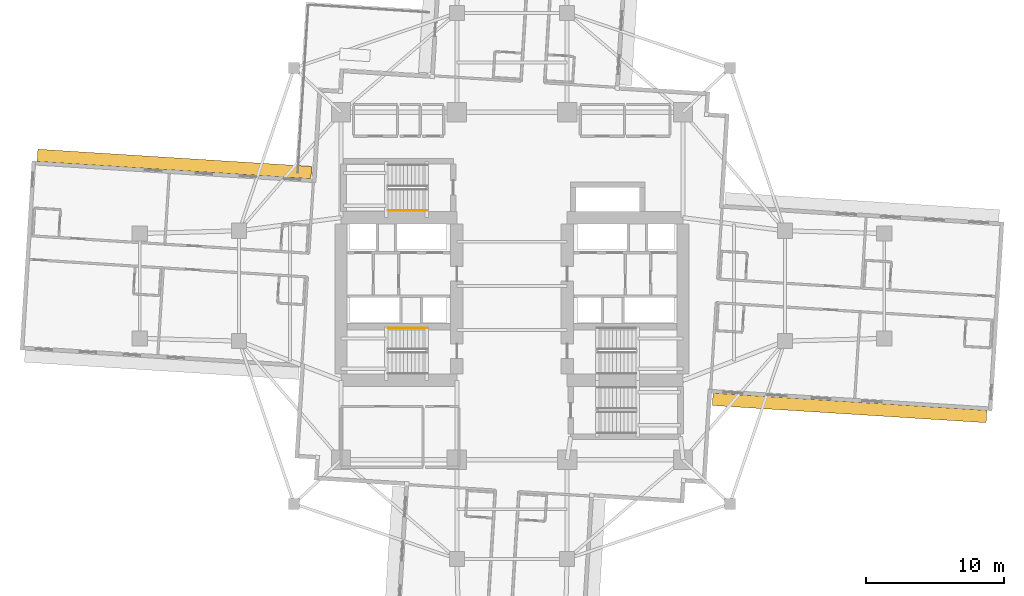
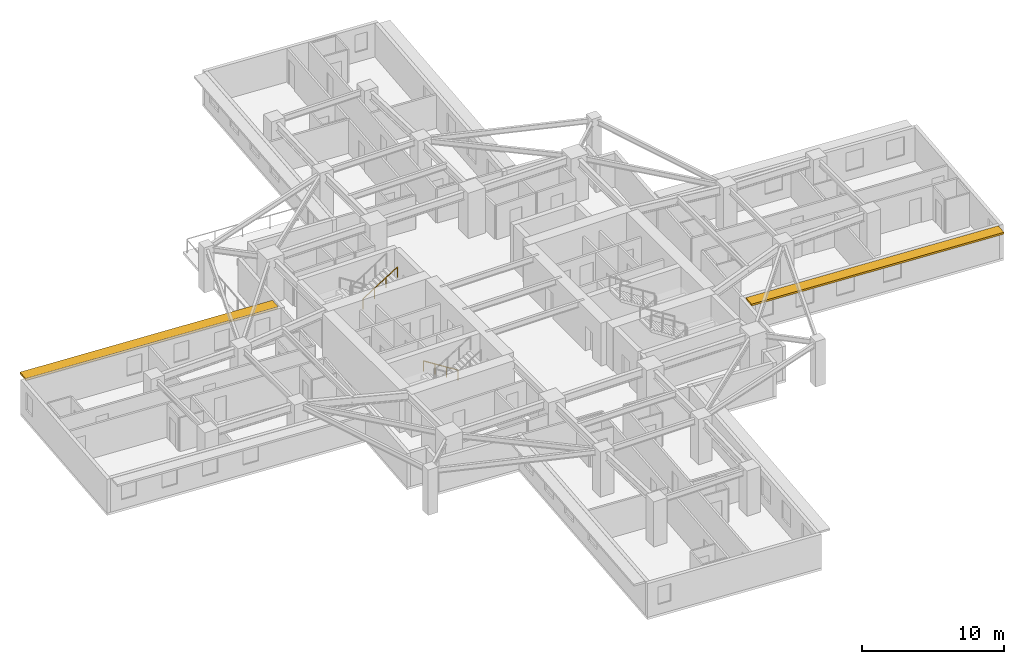
# One storey, part 12 of 14: 2 railings, 2 shading devices.
"""IFC4 building model written with IfcOpenShell, lengths in metres."""

from ifc_helpers import new_model, si_unit, direction, frame, origin, origin_2d, place, context, subcontext, project, spatial, rectangle, circle, extrude, material, layer, layer_set, type_object, element, save


model = new_model("IFC4")

# Units and contexts
model_context = context("Model", 3, precision=1e-05, world=origin(), true_north=direction((0.0, 1.0)))
body_context = subcontext(model_context, "Body", "Model", "MODEL_VIEW")
ifc_project = project(units=[si_unit("LENGTHUNIT", "METRE"), si_unit("AREAUNIT", "SQUARE_METRE"), si_unit("VOLUMEUNIT", "CUBIC_METRE"), si_unit("PLANEANGLEUNIT", "RADIAN"), si_unit("MASSUNIT", "GRAM", prefix="KILO")], contexts=[model_context])

# Site, building, storey
site_placement = place(None, origin())
site = spatial("IfcSite", under=ifc_project, at=site_placement, CompositionType="ELEMENT")
building_placement = place(site_placement, origin())
building = spatial("IfcBuilding", under=site, at=building_placement, Name="Qingluan Cross Belvedere", CompositionType="ELEMENT")
storey_placement = place(building_placement, frame((0.0, 0.0, 87.300048828125)))
storey = spatial("IfcBuildingStorey", under=building, at=storey_placement, Name="L22", CompositionType="ELEMENT", Elevation=87.300048828125)

# Shading devices
ifc_material_1 = material(Name="Precast concrete C45", Category="concrete")
ifc_layer = layer(ifc_material_1, 0.159912109375, Name="ConcreteSunshadeBand_900")
ifc_layer_set = layer_set([ifc_layer], Name="Precast concrete C45")
shading_device_type = type_object("IfcShadingDeviceType", Name="ConcreteSunshadeBand_900", PredefinedType="USERDEFINED", material=ifc_layer_set)
for number, where, z_axis, x_axis, name in (
    (1, (24.48291015625, -8.8447265625, 2.72998046875), (0.0, 0.0, 1.0), (0.998026688207, -0.062791158819, 0.0), "Concrete SUNSHADE L22-EA"),
    (2, (-24.48291015625, 8.8447265625, 2.72998046875), (0.0, 0.0, 1.0), (-0.998026688207, 0.062791158819, 0.0), "Concrete SUNSHADE L22-WA"),
):
    element("IfcShadingDevice", number, at=place(storey_placement, frame(where, z_axis=z_axis, x_axis=x_axis)), inside=storey, type_object=shading_device_type, Name=name, ObjectType="SUNSHADE", PredefinedType="USERDEFINED", context=body_context, shape_type="SweptSolid", body=[
        extrude(rectangle(XDim=19.89990234375, YDim=0.89990234375, at=origin_2d()), origin(), (0.0, 0.0, 1.0), 0.159912109375),
    ])

# Railings
ifc_material_2 = material(Name="Brushed stainless steel tubular handrail", Category="steel")
railing_type = type_object("IfcRailingType", Name="StairPitchHandrail_900", PredefinedType="HANDRAIL", material=ifc_material_2)
railing_1_placement = place(storey_placement, frame((-6.179931640625, -3.050048828125, 0.17724609375)))
element("IfcRailing", 3, at=railing_1_placement, inside=storey, type_object=railing_type, Name="L22 ST1 stair handrail 1", PredefinedType="HANDRAIL", context=body_context, shape_type="SweptSolid", body=[
    extrude(circle(Radius=0.02392578125, at=origin_2d()), frame((0.0, 0.0, 0.8759765625), z_axis=(-0.844908973607, 0.0, 0.534910110503), x_axis=(0.0, -1.0, 0.0)), (0.0, 0.0, 1.0), 3.31396484375),
    extrude(circle(Radius=0.02099609375, at=origin_2d()), origin(), (0.0, 0.0, 1.0), 0.851806640625),
    extrude(circle(Radius=0.02099609375, at=origin_2d()), frame((-0.933349609375, 0.0, 0.5908203125)), (0.0, 0.0, 1.0), 0.851806640625),
    extrude(circle(Radius=0.02099609375, at=origin_2d()), frame((-1.86669921875, 0.0, 1.181884765625)), (0.0, 0.0, 1.0), 0.851806640625),
    extrude(circle(Radius=0.02099609375, at=origin_2d()), frame((-2.800048828125, 0.0, 1.772705078125)), (0.0, 0.0, 1.0), 0.851806640625),
])
railing_2_placement = place(storey_placement, frame((-8.97998046875, 5.469970703125, 2.127197265625)))
element("IfcRailing", 4, at=railing_2_placement, inside=storey, type_object=railing_type, Name="L22 ST3 stair handrail 2", PredefinedType="HANDRAIL", context=body_context, shape_type="SweptSolid", body=[
    extrude(circle(Radius=0.02392578125, at=origin_2d()), frame((0.0, 0.0, 0.8759765625), z_axis=(0.844908973607, 0.0, 0.534910110503), x_axis=(0.0, 1.0, 0.0)), (0.0, 0.0, 1.0), 3.31396484375),
    extrude(circle(Radius=0.02099609375, at=origin_2d()), origin(), (0.0, 0.0, 1.0), 0.851806640625),
    extrude(circle(Radius=0.02099609375, at=origin_2d()), frame((0.933349609375, 0.0, 0.5908203125)), (0.0, 0.0, 1.0), 0.851806640625),
    extrude(circle(Radius=0.02099609375, at=origin_2d()), frame((1.86669921875, 0.0, 1.181884765625)), (0.0, 0.0, 1.0), 0.851806640625),
    extrude(circle(Radius=0.02099609375, at=origin_2d()), frame((2.800048828125, 0.0, 1.772705078125)), (0.0, 0.0, 1.0), 0.851806640625),
])

save(model, "model.ifc")
